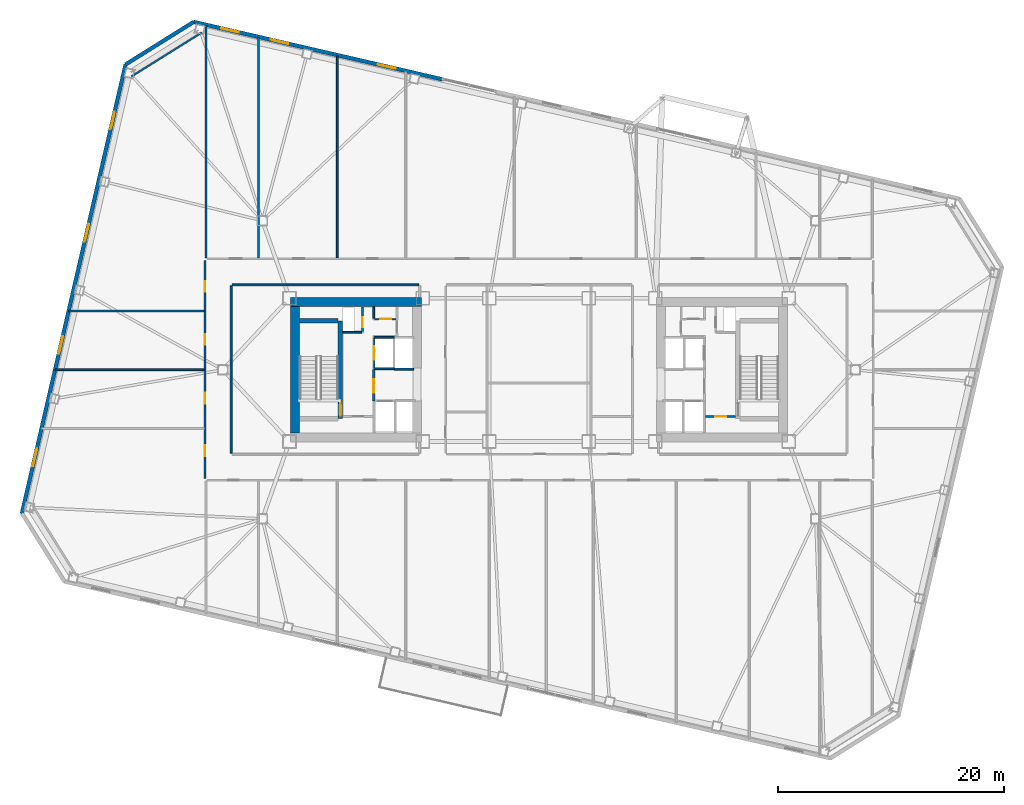
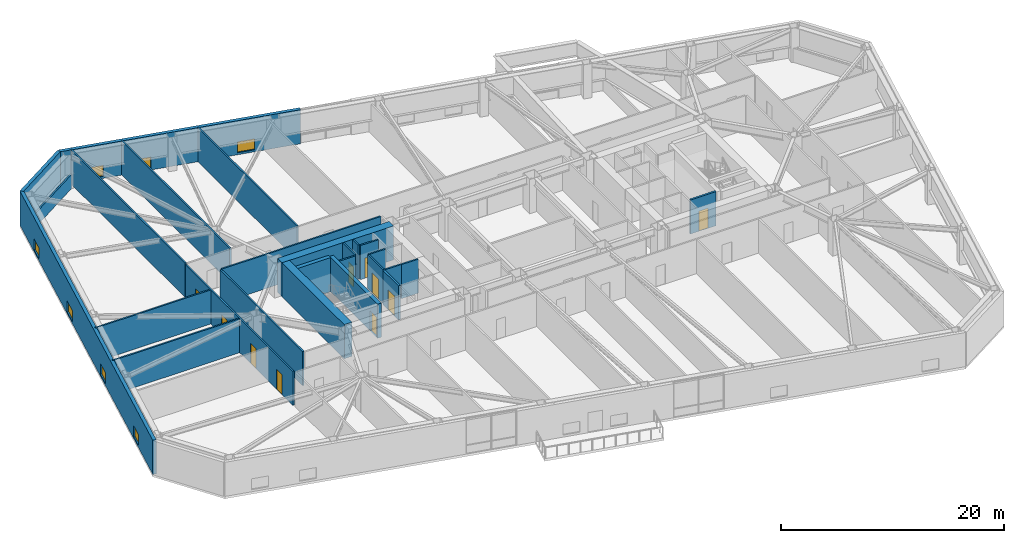
# One storey, part 11 of 21: 26 walls, 10 doors, 7 windows, 17 openings.
"""IFC4 building model written with IfcOpenShell, lengths in metres."""

import ifcopenshell
import ifcopenshell.guid

model = None  # the IFC model being written
_history = None  # IfcOwnerHistory: only IFC2X3 demands one
_inside = {}  # id of a spatial element -> (the spatial element, [elements in it])
_under = {}  # id of a project, library or spatial element -> (it, [spatial elements below it])
_declared = {}  # id of a project -> (the project, [libraries it declares])
_typed = {}  # id of a type object -> (the type object, [elements of that type])
_made_of = {}  # id of a material, layer set ... -> (it, [elements and type objects made of it])


def new_model(schema):
    """Start an empty IFC model of exactly this schema.

    Asked for "IFC4X3", IfcOpenShell would pick the latest addendum, in which some entities
    have other attributes; the version numbers below select the first issue.
    IFC2X3 requires an IfcOwnerHistory on every rooted entity: one is made here for all.
    """
    global model, _history
    if schema == "IFC4X3":
        model = ifcopenshell.file(schema_version=(4, 3, 0, 0))
    else:
        model = ifcopenshell.file(schema=schema)
    _inside.clear()
    _under.clear()
    _declared.clear()
    _typed.clear()
    _made_of.clear()
    _history = None
    if model.schema == "IFC2X3":
        org = make("IfcOrganization", Name="unknown")
        user = make(
            "IfcPersonAndOrganization",
            ThePerson=make("IfcPerson", FamilyName="unknown"),
            TheOrganization=org,
        )
        app = make(
            "IfcApplication",
            ApplicationDeveloper=org,
            Version="unknown",
            ApplicationFullName="unknown",
            ApplicationIdentifier="unknown",
        )
        _history = make(
            "IfcOwnerHistory",
            OwningUser=user,
            OwningApplication=app,
            ChangeAction="ADDED",
            CreationDate=0,
        )
    return model


def make(cls, **values):
    """One entity of the class cls with the attributes given. An attribute that is None is left unset."""
    return model.create_entity(
        cls, **{name: value for name, value in values.items() if value is not None}
    )


def rooted(cls, **values):
    """An entity with a GlobalId (a new one), such as an element, a storey or a relation."""
    return make(cls, GlobalId=ifcopenshell.guid.new(), OwnerHistory=_history, **values)


def si_unit(unit_type, name, prefix=None):
    """IfcSIUnit, for example si_unit("LENGTHUNIT", "METRE", prefix="MILLI")."""
    return make("IfcSIUnit", UnitType=unit_type, Prefix=prefix, Name=name)


def assignment(units):
    """IfcUnitAssignment: the units of a project."""
    return None if units is None else make("IfcUnitAssignment", Units=units)


def point(xyz):
    """IfcCartesianPoint."""
    return None if xyz is None else make("IfcCartesianPoint", Coordinates=xyz)


def direction(xyz):
    """IfcDirection."""
    return None if xyz is None else make("IfcDirection", DirectionRatios=xyz)


def frame(location, z_axis=None, x_axis=None):
    """IfcAxis2Placement3D, a coordinate frame: its origin and axes. An axis left out is left unset."""
    return make(
        "IfcAxis2Placement3D",
        Location=point(location),
        Axis=direction(z_axis),
        RefDirection=direction(x_axis),
    )


def frame_2d(location, x_axis=None):
    """IfcAxis2Placement2D, a coordinate frame in the plane: its origin and x axis."""
    return make(
        "IfcAxis2Placement2D", Location=point(location), RefDirection=direction(x_axis)
    )


def origin():
    """The frame at (0, 0, 0) with its axes left unset."""
    return frame((0.0, 0.0, 0.0))


def place(relative_to, where):
    """IfcLocalPlacement: puts the frame where relative to a parent placement (None: the world)."""
    return make(
        "IfcLocalPlacement", PlacementRelTo=relative_to, RelativePlacement=where
    )


def context(
    kind, dimensions, precision=None, world=None, true_north=None, identifier=None
):
    """IfcGeometricRepresentationContext, for example the 3D "Model" context."""
    return make(
        "IfcGeometricRepresentationContext",
        ContextIdentifier=identifier,
        ContextType=kind,
        CoordinateSpaceDimension=dimensions,
        Precision=precision,
        WorldCoordinateSystem=world,
        TrueNorth=true_north,
    )


def subcontext(parent, identifier, kind, view, scale=None):
    """IfcGeometricRepresentationSubContext, for example "Body" below "Model"."""
    return make(
        "IfcGeometricRepresentationSubContext",
        ContextIdentifier=identifier,
        ContextType=kind,
        ParentContext=parent,
        TargetScale=scale,
        TargetView=view,
    )


def project(units=None, contexts=None):
    """IfcProject with its units and contexts."""
    return rooted(
        "IfcProject",
        Name="project",
        RepresentationContexts=contexts,
        UnitsInContext=assignment(units),
    )


def spatial(cls, under=None, at=None, **own):
    """A site, building, storey or space (cls), placed at a placement, below another one or the project."""
    s = rooted(cls, ObjectPlacement=at, **own)
    if under is not None:
        _under.setdefault(under.id(), (under, []))[1].append(s)
    return s


def profile(cls, at=None, kind="AREA", **sizes):
    """A parametric profile (cls). Its sizes go by their IFC names, for example OverallWidth=200.0."""
    return make(cls, ProfileType=kind, Position=at, **sizes)


def rectangle(**sizes):
    """IfcRectangleProfileDef."""
    return profile("IfcRectangleProfileDef", **sizes)


def extrude(swept, where, along, depth):
    """IfcExtrudedAreaSolid: the profile swept, set in the frame where, extruded along a direction by depth."""
    return make(
        "IfcExtrudedAreaSolid",
        SweptArea=swept,
        Position=where,
        ExtrudedDirection=direction(along),
        Depth=depth,
    )


def shape(context_of_items, identifier, shape_type, items):
    """IfcShapeRepresentation: the items that make up one representation, for example the "Body"."""
    return make(
        "IfcShapeRepresentation",
        ContextOfItems=context_of_items,
        RepresentationIdentifier=identifier,
        RepresentationType=shape_type,
        Items=items,
    )


def material(Name=None, Category=None):
    """IfcMaterial."""
    return make("IfcMaterial", Name=Name, Category=Category)


def layer(
    of_material, thickness, ventilated=None, Name=None, Category=None, Priority=None
):
    """IfcMaterialLayer: one layer of a wall or slab, of a material (None: an air gap)."""
    return make(
        "IfcMaterialLayer",
        Material=of_material,
        LayerThickness=thickness,
        IsVentilated=ventilated,
        Name=Name,
        Category=Category,
        Priority=Priority,
    )


def layer_set(layers, Name=None):
    """IfcMaterialLayerSet."""
    return make("IfcMaterialLayerSet", MaterialLayers=layers, LayerSetName=Name)


def made_of(thing, what):
    """Note that an element or type object is made of a material, layer set ...; save() writes the relation."""
    if what is not None:
        _made_of.setdefault(what.id(), (what, []))[1].append(thing)
    return thing


def type_object(cls, material=None, **own):
    """A type object (cls), such as IfcWallType, which elements share."""
    return made_of(rooted(cls, **own), material)


def element(
    cls,
    number,
    at=None,
    inside=None,
    cuts=None,
    type_object=None,
    material=None,
    context=None,
    identifier="Body",
    shape_type=None,
    held_by="IfcProductDefinitionShape",
    body=None,
    shapes=None,
    **own,
):
    """One element of the class cls, such as IfcWall. Its Tag is "e" and its number.

    at: its placement. inside: the storey or other place that contains it. cuts: it is an
    opening in that element (IfcRelVoidsElement). A single representation is given by context,
    identifier, shape_type and body (its items); several are given by shapes. held_by: the class
    of the entity that holds the representations. save() writes the other relations.
    """
    e = rooted(cls, Tag="e%d" % number, ObjectPlacement=at, **own)
    if body is not None:
        shapes = [shape(context, identifier, shape_type, body)]
    if shapes is not None:
        e.Representation = make(held_by, Representations=shapes)
    if inside is not None:
        _inside.setdefault(inside.id(), (inside, []))[1].append(e)
    if cuts is not None:
        rooted(
            "IfcRelVoidsElement", RelatingBuildingElement=cuts, RelatedOpeningElement=e
        )
    if type_object is not None:
        _typed.setdefault(type_object.id(), (type_object, []))[1].append(e)
    return made_of(e, material)


def fill(opening, filler):
    """IfcRelFillsElement: the door or window that sits in an opening."""
    return rooted(
        "IfcRelFillsElement",
        RelatingOpeningElement=opening,
        RelatedBuildingElement=filler,
    )


def aggregate(whole, parts):
    """IfcRelAggregates: a whole, such as a stair, and the parts it consists of."""
    return rooted("IfcRelAggregates", RelatingObject=whole, RelatedObjects=parts)


def save(model, path):
    """Write the relations noted so far, then the file.

    IfcRelAggregates (storeys below a building ...), IfcRelContainedInSpatialStructure (elements
    in a storey), IfcRelDefinesByType, IfcRelAssociatesMaterial and IfcRelDeclares: one each for
    every whole, place, type object, material and project.
    """
    for whole, parts in _under.values():
        aggregate(whole, parts)
    for where, things in _inside.values():
        rooted(
            "IfcRelContainedInSpatialStructure",
            RelatedElements=things,
            RelatingStructure=where,
        )
    for kind, things in _typed.values():
        rooted("IfcRelDefinesByType", RelatedObjects=things, RelatingType=kind)
    for what, things in _made_of.values():
        rooted("IfcRelAssociatesMaterial", RelatedObjects=things, RelatingMaterial=what)
    for by, libraries in _declared.values():
        rooted("IfcRelDeclares", RelatingContext=by, RelatedDefinitions=libraries)
    model.write(path)


model = new_model("IFC4")

# Units and contexts
model_context = context("Model", 3, precision=1e-05, world=origin(), true_north=direction((0.0, 1.0)))
body_context = subcontext(model_context, "Body", "Model", "MODEL_VIEW")
ifc_project = project(units=[si_unit("LENGTHUNIT", "METRE"), si_unit("AREAUNIT", "SQUARE_METRE"), si_unit("VOLUMEUNIT", "CUBIC_METRE"), si_unit("PLANEANGLEUNIT", "RADIAN"), si_unit("MASSUNIT", "GRAM", prefix="KILO")], contexts=[model_context])

# Site, building, storey
site_placement = place(None, origin())
site = spatial("IfcSite", under=ifc_project, at=site_placement, CompositionType="ELEMENT")
building_placement = place(site_placement, origin())
building = spatial("IfcBuilding", under=site, at=building_placement, Name="Tavrogorsk Clinical Tower", CompositionType="ELEMENT")
storey_placement = place(building_placement, frame((0.0, 0.0, 59.39990234375)))
storey = spatial("IfcBuildingStorey", under=building, at=storey_placement, Name="L12", CompositionType="ELEMENT", Elevation=59.39990234375)

# Wall, opening, door
ifc_material_1 = material(Name="Concrete B60", Category="concrete")
ifc_layer_1 = layer(ifc_material_1, 0.199951171875)
ifc_layer_set_1 = layer_set([ifc_layer_1], Name="Concrete B60")
wall_type_1 = type_object("IfcWallType", Name="CoreFireWall_200", PredefinedType="SOLIDWALL", material=ifc_layer_set_1)
wall_1_placement = place(storey_placement, frame((-14.639892578125, -2.780029296875, 0.0), z_axis=(0.0, 0.0, 1.0), x_axis=(0.0, 1.0, 0.0)))
wall_1 = element("IfcWall", 1, at=wall_1_placement, inside=storey, type_object=wall_type_1, Name="L12 Core West Firefighting Lobby Fire Wall", PredefinedType="SOLIDWALL", context=body_context, shape_type="SweptSolid", body=[
    extrude(rectangle(XDim=2.820068359375, YDim=0.199951171875, at=frame_2d((1.41015625, 0.0))), origin(), (0.0, 0.0, 1.0), 3.739990234375),
])
opening_1_placement = place(wall_1_placement, frame((0.72998046875, 0.0, 0.0)))
opening_1 = element("IfcOpeningElement", 2, at=opening_1_placement, cuts=wall_1, Name="Opening FD-01", PredefinedType="OPENING", context=body_context, shape_type="SweptSolid", body=[
    extrude(rectangle(XDim=1.199951171875, YDim=2.199951171875, at=frame_2d((0.60009765625, 1.10009765625))), frame((0.0, 0.10986328125, 0.0), z_axis=(0.0, -1.0, 0.0), x_axis=(1.0, 0.0, 0.0)), (0.0, 0.0, 1.0), 0.219970703125),
])
ifc_material_2 = material(Name="Galvanised steel fire-rated door assembly", Category="steel")
door_type_1 = type_object("IfcDoorType", Name="FireDoor_FD01_1200", OperationType="NOTDEFINED", PredefinedType="DOOR", material=ifc_material_2)
door_1_placement = place(opening_1_placement, origin())
door_1 = element("IfcDoor", 3, at=door_1_placement, inside=storey, type_object=door_type_1, Name="L12 Core West Firefighting Lobby Entry Door", OperationType="SINGLE_SWING_LEFT", OverallHeight=2.199951171875, OverallWidth=1.199951171875, PredefinedType="DOOR", context=body_context, shape_type="SweptSolid", body=[
    extrude(rectangle(XDim=1.199951171875, YDim=2.199951171875, at=frame_2d((0.60009765625, 1.10009765625))), frame((0.0, 0.02490234375, 0.0), z_axis=(0.0, -1.0, 0.0), x_axis=(1.0, 0.0, 0.0)), (0.0, 0.0, 1.0), 0.050048828125),
])
fill(opening_1, door_1)

wall_2_placement = place(storey_placement, frame((14.719970703125, -4.139892578125, 0.0), z_axis=(0.0, 0.0, 1.0), x_axis=(1.0, 0.0, 0.0)))
wall_2 = element("IfcWall", 4, at=wall_2_placement, inside=storey, type_object=wall_type_1, Name="L12 Core East South Core Room Fire Wall", PredefinedType="SOLIDWALL", context=body_context, shape_type="SweptSolid", body=[
    extrude(rectangle(XDim=2.659912109375, YDim=0.199951171875, at=frame_2d((1.330078125, 0.0))), origin(), (0.0, 0.0, 1.0), 3.739990234375),
])
opening_2_placement = place(wall_2_placement, frame((0.8798828125, 0.0, 0.0)))
opening_2 = element("IfcOpeningElement", 5, at=opening_2_placement, cuts=wall_2, Name="Opening ID-02", PredefinedType="OPENING", context=body_context, shape_type="SweptSolid", body=[
    extrude(rectangle(XDim=0.949951171875, YDim=2.199951171875, at=frame_2d((0.47509765625, 1.10009765625))), frame((0.0, 0.10986328125, 0.0), z_axis=(0.0, -1.0, 0.0), x_axis=(1.0, 0.0, 0.0)), (0.0, 0.0, 1.0), 0.219970703125),
])
ifc_material_3 = material(Name="Laminated timber leaf on aluminium frame", Category="wood")
door_type_2 = type_object("IfcDoorType", Name="InteriorDoor_ID02_950", OperationType="NOTDEFINED", PredefinedType="DOOR", material=ifc_material_3)
door_2_placement = place(opening_2_placement, origin())
door_2 = element("IfcDoor", 6, at=door_2_placement, inside=storey, type_object=door_type_2, Name="L12 Core East South Core Room Door", OperationType="SINGLE_SWING_LEFT", OverallHeight=2.199951171875, OverallWidth=0.949951171875, PredefinedType="DOOR", context=body_context, shape_type="SweptSolid", body=[
    extrude(rectangle(XDim=0.949951171875, YDim=2.199951171875, at=frame_2d((0.47509765625, 1.10009765625))), frame((0.0, 0.02490234375, 0.0), z_axis=(0.0, -1.0, 0.0), x_axis=(1.0, 0.0, 0.0)), (0.0, 0.0, 1.0), 0.050048828125),
])
fill(opening_2, door_2)

ifc_material_4 = material(Name="Lightweight concrete blockwork B15", Category="masonry")
ifc_layer_2 = layer(ifc_material_4, 0.159912109375)
ifc_layer_set_2 = layer_set([ifc_layer_2], Name="Lightweight concrete blockwork B15")
wall_type_2 = type_object("IfcWallType", Name="PartitionWall_160", PredefinedType="PARTITIONING", material=ifc_layer_set_2)
wall_3_placement = place(storey_placement, frame((-14.554931640625, 4.47998046875, 0.0), z_axis=(0.0, 0.0, 1.0), x_axis=(1.0, 0.0, 0.0)))
wall_3 = element("IfcWall", 7, at=wall_3_placement, inside=storey, type_object=wall_type_2, Name="L12 Core West Housekeeping South Wall", PredefinedType="PARTITIONING", context=body_context, shape_type="SweptSolid", body=[
    extrude(rectangle(XDim=1.889892578125, YDim=0.159912109375, at=frame_2d((0.94482421875, 0.0))), origin(), (0.0, 0.0, 1.0), 3.739990234375),
])
opening_3_placement = place(wall_3_placement, frame((0.5, 0.0, 0.0)))
opening_3 = element("IfcOpeningElement", 8, at=opening_3_placement, cuts=wall_3, Name="Opening ID-02", PredefinedType="OPENING", context=body_context, shape_type="SweptSolid", body=[
    extrude(rectangle(XDim=0.949951171875, YDim=2.199951171875, at=frame_2d((0.47509765625, 1.10009765625))), frame((0.0, 0.08984375, 0.0), z_axis=(0.0, -1.0, 0.0), x_axis=(1.0, 0.0, 0.0)), (0.0, 0.0, 1.0), 0.179931640625),
])
door_3_placement = place(opening_3_placement, origin())
door_3 = element("IfcDoor", 9, at=door_3_placement, inside=storey, type_object=door_type_2, Name="L12 Core West Housekeeping Closet Door", OperationType="SINGLE_SWING_RIGHT", OverallHeight=2.199951171875, OverallWidth=0.949951171875, PredefinedType="DOOR", context=body_context, shape_type="SweptSolid", body=[
    extrude(rectangle(XDim=0.949951171875, YDim=2.199951171875, at=frame_2d((0.47509765625, 1.10009765625))), frame((0.0, 0.02490234375, 0.0), z_axis=(0.0, -1.0, 0.0), x_axis=(1.0, 0.0, 0.0)), (0.0, 0.0, 1.0), 0.050048828125),
])
fill(opening_3, door_3)

# Walls
wall_4_placement = place(storey_placement, frame((-14.639892578125, 4.56494140625, 0.0), z_axis=(0.0, 0.0, 1.0), x_axis=(0.0, 1.0, 0.0)))
element("IfcWall", 10, at=wall_4_placement, inside=storey, type_object=wall_type_2, Name="L12 Core West Housekeeping East Wall", PredefinedType="PARTITIONING", context=body_context, shape_type="SweptSolid", body=[
    extrude(rectangle(XDim=0.9951171875, YDim=0.159912109375, at=frame_2d((0.49755859375, 0.0))), origin(), (0.0, 0.0, 1.0), 3.739990234375),
])
wall_5_placement = place(storey_placement, frame((-29.859619140625, 29.8681640625, 0.0), z_axis=(0.0, 0.0, 1.0), x_axis=(-0.848043064089, -0.529927317139, 0.0)))
element("IfcWall", 11, at=wall_5_placement, inside=storey, type_object=wall_type_2, Name="L12 Corner Exoskeleton Brace Furring Wall 3", PredefinedType="PARTITIONING", context=body_context, shape_type="SweptSolid", body=[
    extrude(rectangle(XDim=7.353759765625, YDim=0.159912109375, at=frame_2d((3.6767578125, 0.0))), origin(), (0.0, 0.0, 1.0), 1.53515625),
])

# Wall, openings, doors
wall_6_placement = place(storey_placement, frame((-29.580078125, -9.614990234375, 0.0), z_axis=(0.0, 0.0, 1.0), x_axis=(0.0, 1.0, 0.0)))
wall_6 = element("IfcWall", 12, at=wall_6_placement, inside=storey, type_object=wall_type_2, Name="L12 Corridor Partition 01", PredefinedType="PARTITIONING", context=body_context, shape_type="SweptSolid", body=[
    extrude(rectangle(XDim=19.280029296875, YDim=0.159912109375, at=frame_2d((9.64013671875, 0.0))), origin(), (0.0, 0.0, 1.0), 3.739990234375),
])
opening_4_placement = place(wall_6_placement, frame((1.968994140625, 0.0, 0.0)))
opening_4 = element("IfcOpeningElement", 13, at=opening_4_placement, cuts=wall_6, Name="Opening ID-02", PredefinedType="OPENING", context=body_context, shape_type="SweptSolid", body=[
    extrude(rectangle(XDim=0.949951171875, YDim=2.199951171875, at=frame_2d((0.47509765625, 1.10009765625))), frame((0.0, 0.08984375, 0.0), z_axis=(0.0, -1.0, 0.0), x_axis=(1.0, 0.0, 0.0)), (0.0, 0.0, 1.0), 0.179931640625),
])
opening_5_placement = place(wall_6_placement, frame((6.625, 0.0, 0.0)))
opening_5 = element("IfcOpeningElement", 14, at=opening_5_placement, cuts=wall_6, Name="Opening ID-02", PredefinedType="OPENING", context=body_context, shape_type="SweptSolid", body=[
    extrude(rectangle(XDim=0.949951171875, YDim=2.199951171875, at=frame_2d((0.47509765625, 1.10009765625))), frame((0.0, 0.08984375, 0.0), z_axis=(0.0, -1.0, 0.0), x_axis=(1.0, 0.0, 0.0)), (0.0, 0.0, 1.0), 0.179931640625),
])
opening_6_placement = place(wall_6_placement, frame((11.824951171875, 0.0, 0.0)))
opening_6 = element("IfcOpeningElement", 15, at=opening_6_placement, cuts=wall_6, Name="Opening ID-02", PredefinedType="OPENING", context=body_context, shape_type="SweptSolid", body=[
    extrude(rectangle(XDim=0.949951171875, YDim=2.199951171875, at=frame_2d((0.47509765625, 1.10009765625))), frame((0.0, 0.08984375, 0.0), z_axis=(0.0, -1.0, 0.0), x_axis=(1.0, 0.0, 0.0)), (0.0, 0.0, 1.0), 0.179931640625),
])
opening_7_placement = place(wall_6_placement, frame((16.505859375, 0.0, 0.0)))
opening_7 = element("IfcOpeningElement", 16, at=opening_7_placement, cuts=wall_6, Name="Opening ID-02", PredefinedType="OPENING", context=body_context, shape_type="SweptSolid", body=[
    extrude(rectangle(XDim=0.949951171875, YDim=2.199951171875, at=frame_2d((0.47509765625, 1.10009765625))), frame((0.0, 0.08984375, 0.0), z_axis=(0.0, -1.0, 0.0), x_axis=(1.0, 0.0, 0.0)), (0.0, 0.0, 1.0), 0.179931640625),
])
door_4_placement = place(opening_4_placement, origin())
door_4 = element("IfcDoor", 17, at=door_4_placement, inside=storey, type_object=door_type_2, Name="L12 W Solarium Day Room & Lounge 1 Door", OperationType="SINGLE_SWING_LEFT", OverallHeight=2.199951171875, OverallWidth=0.949951171875, PredefinedType="DOOR", context=body_context, shape_type="SweptSolid", body=[
    extrude(rectangle(XDim=0.949951171875, YDim=2.199951171875, at=frame_2d((0.47509765625, 1.10009765625))), frame((0.0, 0.02490234375, 0.0), z_axis=(0.0, -1.0, 0.0), x_axis=(1.0, 0.0, 0.0)), (0.0, 0.0, 1.0), 0.050048828125),
])
fill(opening_4, door_4)
door_5_placement = place(opening_5_placement, origin())
door_5 = element("IfcDoor", 18, at=door_5_placement, inside=storey, type_object=door_type_2, Name="L12 W Rehabilitation Therapy Suite 2 Door", OperationType="SINGLE_SWING_RIGHT", OverallHeight=2.199951171875, OverallWidth=0.949951171875, PredefinedType="DOOR", context=body_context, shape_type="SweptSolid", body=[
    extrude(rectangle(XDim=0.949951171875, YDim=2.199951171875, at=frame_2d((0.47509765625, 1.10009765625))), frame((0.0, 0.02490234375, 0.0), z_axis=(0.0, -1.0, 0.0), x_axis=(1.0, 0.0, 0.0)), (0.0, 0.0, 1.0), 0.050048828125),
])
fill(opening_5, door_5)
door_6_placement = place(opening_6_placement, origin())
door_6 = element("IfcDoor", 19, at=door_6_placement, inside=storey, type_object=door_type_2, Name="L12 W Sub-Acute Observation Suite 3 Door", OperationType="SINGLE_SWING_LEFT", OverallHeight=2.199951171875, OverallWidth=0.949951171875, PredefinedType="DOOR", context=body_context, shape_type="SweptSolid", body=[
    extrude(rectangle(XDim=0.949951171875, YDim=2.199951171875, at=frame_2d((0.47509765625, 1.10009765625))), frame((0.0, 0.02490234375, 0.0), z_axis=(0.0, -1.0, 0.0), x_axis=(1.0, 0.0, 0.0)), (0.0, 0.0, 1.0), 0.050048828125),
])
fill(opening_6, door_6)
door_7_placement = place(opening_7_placement, origin())
door_7 = element("IfcDoor", 20, at=door_7_placement, inside=storey, type_object=door_type_2, Name="L12 W Family Consultation Lounge 4 Door", OperationType="SINGLE_SWING_RIGHT", OverallHeight=2.199951171875, OverallWidth=0.949951171875, PredefinedType="DOOR", context=body_context, shape_type="SweptSolid", body=[
    extrude(rectangle(XDim=0.949951171875, YDim=2.199951171875, at=frame_2d((0.47509765625, 1.10009765625))), frame((0.0, 0.02490234375, 0.0), z_axis=(0.0, -1.0, 0.0), x_axis=(1.0, 0.0, 0.0)), (0.0, 0.0, 1.0), 0.050048828125),
])
fill(opening_7, door_7)

# Walls
wall_7_placement = place(storey_placement, frame((-10.6650390625, 7.52001953125, 0.0), z_axis=(0.0, 0.0, 1.0), x_axis=(-1.0, 0.0, 0.0)))
element("IfcWall", 21, at=wall_7_placement, inside=storey, type_object=wall_type_2, Name="L12 Corridor Partition 16", PredefinedType="PARTITIONING", context=body_context, shape_type="SweptSolid", body=[
    extrude(rectangle(XDim=16.52001953125, YDim=0.159912109375, at=frame_2d((8.260009765625, 0.0))), origin(), (0.0, 0.0, 1.0), 3.739990234375),
])
wall_8_placement = place(storey_placement, frame((-27.27001953125, 7.43505859375, 0.0), z_axis=(0.0, 0.0, 1.0), x_axis=(0.0, -1.0, 0.0)))
element("IfcWall", 22, at=wall_8_placement, inside=storey, type_object=wall_type_2, Name="L12 Corridor Partition 17", PredefinedType="PARTITIONING", context=body_context, shape_type="SweptSolid", body=[
    extrude(rectangle(XDim=14.820068359375, YDim=0.159912109375, at=frame_2d((7.41015625, 0.0))), origin(), (0.0, 0.0, 1.0), 3.739990234375),
])
wall_9_placement = place(storey_placement, frame((-29.5, 9.9150390625, 0.0), z_axis=(0.0, 0.0, 1.0), x_axis=(0.0, 1.0, 0.0)))
element("IfcWall", 23, at=wall_9_placement, inside=storey, type_object=wall_type_2, Name="L12 NW Wing Closure Partition", PredefinedType="PARTITIONING", context=body_context, shape_type="SweptSolid", body=[
    extrude(rectangle(XDim=20.568603515625, YDim=0.159912109375, at=frame_2d((10.2841796875, 0.0))), origin(), (0.0, 0.0, 1.0), 3.739990234375),
])
wall_10_placement = place(storey_placement, frame((-24.85009765625, 9.9150390625, 0.0), z_axis=(0.0, 0.0, 1.0), x_axis=(0.0, 1.0, 0.0)))
element("IfcWall", 24, at=wall_10_placement, inside=storey, type_object=wall_type_2, Name="L12 North Room Partition 1", PredefinedType="PARTITIONING", context=body_context, shape_type="SweptSolid", body=[
    extrude(rectangle(XDim=19.4951171875, YDim=0.159912109375, at=frame_2d((9.74755859375, 0.0))), origin(), (0.0, 0.0, 1.0), 3.739990234375),
])
wall_11_placement = place(storey_placement, frame((-17.875, 9.9150390625, 0.0), z_axis=(0.0, 0.0, 1.0), x_axis=(0.0, 1.0, 0.0)))
element("IfcWall", 25, at=wall_11_placement, inside=storey, type_object=wall_type_2, Name="L12 North Sub-Partition 2", PredefinedType="PARTITIONING", context=body_context, shape_type="SweptSolid", body=[
    extrude(rectangle(XDim=17.884765625, YDim=0.159912109375, at=frame_2d((8.9423828125, 0.0))), origin(), (0.0, 0.0, 1.0), 3.739990234375),
])
wall_12_placement = place(storey_placement, frame((-42.841552734375, 0.0, 0.0), z_axis=(0.0, 0.0, 1.0), x_axis=(1.0, 0.0, 0.0)))
element("IfcWall", 26, at=wall_12_placement, inside=storey, type_object=wall_type_2, Name="L12 W Wing Divider 2", PredefinedType="PARTITIONING", context=body_context, shape_type="SweptSolid", body=[
    extrude(rectangle(XDim=13.176513671875, YDim=0.159912109375, at=frame_2d((6.58837890625, 0.0))), origin(), (0.0, 0.0, 1.0), 3.739990234375),
])
wall_13_placement = place(storey_placement, frame((-41.64111328125, 5.199951171875, 0.0), z_axis=(0.0, 0.0, 1.0), x_axis=(1.0, 0.0, 0.0)))
element("IfcWall", 27, at=wall_13_placement, inside=storey, type_object=wall_type_2, Name="L12 W Wing Divider 3", PredefinedType="PARTITIONING", context=body_context, shape_type="SweptSolid", body=[
    extrude(rectangle(XDim=11.97607421875, YDim=0.159912109375, at=frame_2d((5.988037109375, 0.0))), origin(), (0.0, 0.0, 1.0), 3.739990234375),
])

# Wall, openings, windows
ifc_material_5 = material(Name="Precast concrete B45 with limestone cladding", Category="masonry")
ifc_layer_3 = layer(ifc_material_5, 0.340087890625)
ifc_layer_set_3 = layer_set([ifc_layer_3], Name="Precast concrete B45 with limestone cladding")
wall_type_3 = type_object("IfcWallType", Name="PrecastLimestoneWall_340", PredefinedType="STANDARD", material=ifc_layer_set_3)
wall_14_placement = place(storey_placement, frame((-8.5166015625, 25.711181640625, 0.0), z_axis=(0.0, 0.0, 1.0), x_axis=(-0.974372845456, 0.224939009598, 0.0)))
wall_14 = element("IfcWall", 28, at=wall_14_placement, inside=storey, type_object=wall_type_3, Name="L12 N Limestone Facade Wall 3", PredefinedType="STANDARD", context=body_context, shape_type="SweptSolid", body=[
    extrude(rectangle(XDim=22.651611328125, YDim=0.340087890625, at=frame_2d((11.32568359375, 0.0))), origin(), (0.0, 0.0, 1.0), 3.739990234375),
])
opening_8_placement = place(wall_14_placement, frame((18.539306640625, 0.0, 0.219970703125)))
opening_8 = element("IfcOpeningElement", 29, at=opening_8_placement, cuts=wall_14, Name="Opening WN-09", PredefinedType="OPENING", context=body_context, shape_type="SweptSolid", body=[
    extrude(rectangle(XDim=1.60009765625, YDim=1.199951171875, at=frame_2d((0.800048828125, 0.60009765625))), frame((0.0, 0.179931640625, 0.0), z_axis=(0.0, -1.0, 0.0), x_axis=(1.0, 0.0, 0.0)), (0.0, 0.0, 1.0), 0.360107421875),
])
opening_9_placement = place(wall_14_placement, frame((14.054931640625, 0.0, 0.219970703125)))
opening_9 = element("IfcOpeningElement", 30, at=opening_9_placement, cuts=wall_14, Name="Opening WN-09", PredefinedType="OPENING", context=body_context, shape_type="SweptSolid", body=[
    extrude(rectangle(XDim=1.60009765625, YDim=1.199951171875, at=frame_2d((0.800048828125, 0.60009765625))), frame((0.0, 0.179931640625, 0.0), z_axis=(0.0, -1.0, 0.0), x_axis=(1.0, 0.0, 0.0)), (0.0, 0.0, 1.0), 0.360107421875),
])
opening_10_placement = place(wall_14_placement, frame((4.306396484375, 0.0, 0.219970703125)))
opening_10 = element("IfcOpeningElement", 31, at=opening_10_placement, cuts=wall_14, Name="Opening WN-09", PredefinedType="OPENING", context=body_context, shape_type="SweptSolid", body=[
    extrude(rectangle(XDim=1.60009765625, YDim=1.199951171875, at=frame_2d((0.800048828125, 0.60009765625))), frame((0.0, 0.179931640625, 0.0), z_axis=(0.0, -1.0, 0.0), x_axis=(1.0, 0.0, 0.0)), (0.0, 0.0, 1.0), 0.360107421875),
])
ifc_material_6 = material(Name="Thermally broken aluminium frame and triple IGU", Category="aluminium")
window_type = type_object("IfcWindowType", Name="LowHeadTransWin_1600x1200", PartitioningType="DOUBLE_PANEL_VERTICAL", PredefinedType="WINDOW", material=ifc_material_6)
window_1_placement = place(opening_8_placement, origin())
window_1 = element("IfcWindow", 32, at=window_1_placement, inside=storey, type_object=window_type, Name="L12 N Chicago Window 01", OverallHeight=1.199951171875, OverallWidth=1.60009765625, PartitioningType="SINGLE_PANEL", PredefinedType="WINDOW", context=body_context, shape_type="SweptSolid", body=[
    extrude(rectangle(XDim=1.60009765625, YDim=1.199951171875, at=frame_2d((0.800048828125, 0.60009765625))), frame((0.0, 0.030029296875, 0.0), z_axis=(0.0, -1.0, 0.0), x_axis=(1.0, 0.0, 0.0)), (0.0, 0.0, 1.0), 0.06005859375),
])
fill(opening_8, window_1)
window_2_placement = place(opening_9_placement, origin())
window_2 = element("IfcWindow", 33, at=window_2_placement, inside=storey, type_object=window_type, Name="L12 N Chicago Window 02", OverallHeight=1.199951171875, OverallWidth=1.60009765625, PartitioningType="SINGLE_PANEL", PredefinedType="WINDOW", context=body_context, shape_type="SweptSolid", body=[
    extrude(rectangle(XDim=1.60009765625, YDim=1.199951171875, at=frame_2d((0.800048828125, 0.60009765625))), frame((0.0, 0.030029296875, 0.0), z_axis=(0.0, -1.0, 0.0), x_axis=(1.0, 0.0, 0.0)), (0.0, 0.0, 1.0), 0.06005859375),
])
fill(opening_9, window_2)
window_3_placement = place(opening_10_placement, origin())
window_3 = element("IfcWindow", 34, at=window_3_placement, inside=storey, type_object=window_type, Name="L12 N Chicago Window 04", OverallHeight=1.199951171875, OverallWidth=1.60009765625, PartitioningType="SINGLE_PANEL", PredefinedType="WINDOW", context=body_context, shape_type="SweptSolid", body=[
    extrude(rectangle(XDim=1.60009765625, YDim=1.199951171875, at=frame_2d((0.800048828125, 0.60009765625))), frame((0.0, 0.030029296875, 0.0), z_axis=(0.0, -1.0, 0.0), x_axis=(1.0, 0.0, 0.0)), (0.0, 0.0, 1.0), 0.06005859375),
])
fill(opening_10, window_3)

wall_15_placement = place(storey_placement, frame((-36.6201171875, 27.036865234375, 0.0), z_axis=(0.0, 0.0, 1.0), x_axis=(-0.224951280646, -0.974370012539, 0.0)))
wall_15 = element("IfcWall", 35, at=wall_15_placement, inside=storey, type_object=wall_type_3, Name="L12 W Pleated Limestone Wing Wall", PredefinedType="STANDARD", context=body_context, shape_type="SweptSolid", body=[
    extrude(rectangle(XDim=40.7998046875, YDim=0.340087890625, at=frame_2d((20.39990234375, 0.0))), origin(), (0.0, 0.0, 1.0), 3.739990234375),
])
opening_11_placement = place(wall_15_placement, frame((4.300048828125, 0.0, 0.219970703125)))
opening_11 = element("IfcOpeningElement", 36, at=opening_11_placement, cuts=wall_15, Name="Opening WN-09", PredefinedType="OPENING", context=body_context, shape_type="SweptSolid", body=[
    extrude(rectangle(XDim=1.60009765625, YDim=1.199951171875, at=frame_2d((0.800048828125, 0.60009765625))), frame((0.0, 0.179931640625, 0.0), z_axis=(0.0, -1.0, 0.0), x_axis=(1.0, 0.0, 0.0)), (0.0, 0.0, 1.0), 0.360107421875),
])
opening_12_placement = place(wall_15_placement, frame((14.5, 0.0, 0.219970703125)))
opening_12 = element("IfcOpeningElement", 37, at=opening_12_placement, cuts=wall_15, Name="Opening WN-09", PredefinedType="OPENING", context=body_context, shape_type="SweptSolid", body=[
    extrude(rectangle(XDim=1.60009765625, YDim=1.199951171875, at=frame_2d((0.800048828125, 0.60009765625))), frame((0.0, 0.179931640625, 0.0), z_axis=(0.0, -1.0, 0.0), x_axis=(1.0, 0.0, 0.0)), (0.0, 0.0, 1.0), 0.360107421875),
])
opening_13_placement = place(wall_15_placement, frame((24.699951171875, 0.0, 0.219970703125)))
opening_13 = element("IfcOpeningElement", 38, at=opening_13_placement, cuts=wall_15, Name="Opening WN-09", PredefinedType="OPENING", context=body_context, shape_type="SweptSolid", body=[
    extrude(rectangle(XDim=1.60009765625, YDim=1.199951171875, at=frame_2d((0.800048828125, 0.60009765625))), frame((0.0, 0.179931640625, 0.0), z_axis=(0.0, -1.0, 0.0), x_axis=(1.0, 0.0, 0.0)), (0.0, 0.0, 1.0), 0.360107421875),
])
opening_14_placement = place(wall_15_placement, frame((34.89990234375, 0.0, 0.219970703125)))
opening_14 = element("IfcOpeningElement", 39, at=opening_14_placement, cuts=wall_15, Name="Opening WN-09", PredefinedType="OPENING", context=body_context, shape_type="SweptSolid", body=[
    extrude(rectangle(XDim=1.60009765625, YDim=1.199951171875, at=frame_2d((0.800048828125, 0.60009765625))), frame((0.0, 0.179931640625, 0.0), z_axis=(0.0, -1.0, 0.0), x_axis=(1.0, 0.0, 0.0)), (0.0, 0.0, 1.0), 0.360107421875),
])
window_4_placement = place(opening_11_placement, origin())
window_4 = element("IfcWindow", 40, at=window_4_placement, inside=storey, type_object=window_type, Name="L12 W Pleat Slot Window 1", OverallHeight=1.199951171875, OverallWidth=1.60009765625, PartitioningType="SINGLE_PANEL", PredefinedType="WINDOW", context=body_context, shape_type="SweptSolid", body=[
    extrude(rectangle(XDim=1.60009765625, YDim=1.199951171875, at=frame_2d((0.800048828125, 0.60009765625))), frame((0.0, 0.030029296875, 0.0), z_axis=(0.0, -1.0, 0.0), x_axis=(1.0, 0.0, 0.0)), (0.0, 0.0, 1.0), 0.06005859375),
])
fill(opening_11, window_4)
window_5_placement = place(opening_12_placement, origin())
window_5 = element("IfcWindow", 41, at=window_5_placement, inside=storey, type_object=window_type, Name="L12 W Pleat Slot Window 2", OverallHeight=1.199951171875, OverallWidth=1.60009765625, PartitioningType="SINGLE_PANEL", PredefinedType="WINDOW", context=body_context, shape_type="SweptSolid", body=[
    extrude(rectangle(XDim=1.60009765625, YDim=1.199951171875, at=frame_2d((0.800048828125, 0.60009765625))), frame((0.0, 0.030029296875, 0.0), z_axis=(0.0, -1.0, 0.0), x_axis=(1.0, 0.0, 0.0)), (0.0, 0.0, 1.0), 0.06005859375),
])
fill(opening_12, window_5)
window_6_placement = place(opening_13_placement, origin())
window_6 = element("IfcWindow", 42, at=window_6_placement, inside=storey, type_object=window_type, Name="L12 W Pleat Slot Window 3", OverallHeight=1.199951171875, OverallWidth=1.60009765625, PartitioningType="SINGLE_PANEL", PredefinedType="WINDOW", context=body_context, shape_type="SweptSolid", body=[
    extrude(rectangle(XDim=1.60009765625, YDim=1.199951171875, at=frame_2d((0.800048828125, 0.60009765625))), frame((0.0, 0.030029296875, 0.0), z_axis=(0.0, -1.0, 0.0), x_axis=(1.0, 0.0, 0.0)), (0.0, 0.0, 1.0), 0.06005859375),
])
fill(opening_13, window_6)
window_7_placement = place(opening_14_placement, origin())
window_7 = element("IfcWindow", 43, at=window_7_placement, inside=storey, type_object=window_type, Name="L12 W Pleat Slot Window 4", OverallHeight=1.199951171875, OverallWidth=1.60009765625, PartitioningType="SINGLE_PANEL", PredefinedType="WINDOW", context=body_context, shape_type="SweptSolid", body=[
    extrude(rectangle(XDim=1.60009765625, YDim=1.199951171875, at=frame_2d((0.800048828125, 0.60009765625))), frame((0.0, 0.030029296875, 0.0), z_axis=(0.0, -1.0, 0.0), x_axis=(1.0, 0.0, 0.0)), (0.0, 0.0, 1.0), 0.06005859375),
])
fill(opening_14, window_7)

# Wall
wall_16_placement = place(storey_placement, frame((-30.587646484375, 30.806640625, 0.0), z_axis=(0.0, 0.0, 1.0), x_axis=(-0.848031080615, -0.529946493819, 0.0)))
element("IfcWall", 44, at=wall_16_placement, inside=storey, type_object=wall_type_3, Name="L12 Chamfered Corner Wall 3", PredefinedType="STANDARD", context=body_context, shape_type="SweptSolid", body=[
    extrude(rectangle(XDim=7.113525390625, YDim=0.340087890625, at=frame_2d((3.556640625, 0.0))), origin(), (0.0, 0.0, 1.0), 3.739990234375),
])

# Wall, opening, door
ifc_material_7 = material(Name="Lightweight concrete blockwork B25", Category="masonry")
ifc_layer_4 = layer(ifc_material_7, 0.159912109375)
ifc_layer_set_4 = layer_set([ifc_layer_4], Name="Lightweight concrete blockwork B25")
wall_type_4 = type_object("IfcWallType", Name="ShaftWall_160", PredefinedType="PARTITIONING", material=ifc_layer_set_4)
wall_17_placement = place(storey_placement, frame((-14.60009765625, 0.1201171875, 0.0), z_axis=(0.0, 0.0, 1.0), x_axis=(0.0, 1.0, 0.0)))
wall_17 = element("IfcWall", 45, at=wall_17_placement, inside=storey, type_object=wall_type_4, Name="L12 FFL-W Firefighting Lift Front Wall", PredefinedType="PARTITIONING", context=body_context, shape_type="SweptSolid", body=[
    extrude(rectangle(XDim=2.739990234375, YDim=0.159912109375, at=frame_2d((1.3701171875, 0.0))), origin(), (0.0, 0.0, 1.0), 3.739990234375),
])
opening_15_placement = place(wall_17_placement, frame((0.77001953125, 0.0, 0.0)))
opening_15 = element("IfcOpeningElement", 46, at=opening_15_placement, cuts=wall_17, Name="Opening LD", PredefinedType="OPENING", context=body_context, shape_type="SweptSolid", body=[
    extrude(rectangle(XDim=1.199951171875, YDim=2.199951171875, at=frame_2d((0.60009765625, 1.10009765625))), frame((0.0, 0.08984375, 0.0), z_axis=(0.0, -1.0, 0.0), x_axis=(1.0, 0.0, 0.0)), (0.0, 0.0, 1.0), 0.179931640625),
])
ifc_material_8 = material(Name="Brushed stainless steel AISI 304 sliding doors", Category="steel")
door_type_3 = type_object("IfcDoorType", Name="LiftLandingDoor_LD_1200", OperationType="SLIDING_TO_LEFT", PredefinedType="DOOR", material=ifc_material_8)
door_8_placement = place(opening_15_placement, origin())
door_8 = element("IfcDoor", 47, at=door_8_placement, inside=storey, type_object=door_type_3, Name="L12 FFL-W Sliding Lift Landing Door", OperationType="SLIDING_TO_LEFT", OverallHeight=2.199951171875, OverallWidth=1.199951171875, PredefinedType="DOOR", context=body_context, shape_type="SweptSolid", body=[
    extrude(rectangle(XDim=1.199951171875, YDim=2.199951171875, at=frame_2d((0.60009765625, 1.10009765625))), frame((0.0, 0.02490234375, 0.0), z_axis=(0.0, -1.0, 0.0), x_axis=(1.0, 0.0, 0.0)), (0.0, 0.0, 1.0), 0.050048828125),
])
fill(opening_15, door_8)

# Walls
for number, where, z_axis, x_axis, name in (
    (48, (-14.60009765625, 0.10009765625, 0.0), (0.0, 0.0, 1.0), (1.0, 0.0, 0.0), "L12 FFL-W Shaft South Wall"),
    (49, (-14.60009765625, 2.8798828125, 0.0), (0.0, 0.0, 1.0), (1.0, 0.0, 0.0), "L12 FFL-W Shaft North Wall"),
):
    element("IfcWall", number, at=place(storey_placement, frame(where, z_axis=z_axis, x_axis=x_axis)), inside=storey, type_object=wall_type_4, Name=name, PredefinedType="PARTITIONING", context=body_context, shape_type="SweptSolid", body=[
        extrude(rectangle(XDim=1.760009765625, YDim=0.159912109375, at=frame_2d((0.8798828125, 0.0))), origin(), (0.0, 0.0, 1.0), 3.739990234375),
    ])
wall_18_placement = place(storey_placement, frame((-12.820068359375, 0.06005859375, 0.0), z_axis=(0.0, 0.0, 1.0), x_axis=(1.0, 0.0, 0.0)))
element("IfcWall", 50, at=wall_18_placement, inside=storey, type_object=wall_type_4, Name="L12 LP-H1 High-Zone Lift Portal Wall", PredefinedType="PARTITIONING", context=body_context, shape_type="SweptSolid", body=[
    extrude(rectangle(XDim=1.719970703125, YDim=0.159912109375, at=frame_2d((0.85986328125, 0.0))), origin(), (0.0, 0.0, 1.0), 3.739990234375),
])

# Wall, opening, door
wall_19_placement = place(storey_placement, frame((-15.639892578125, 3.405029296875, 0.0), z_axis=(0.0, 0.0, 1.0), x_axis=(0.0, 1.0, 0.0)))
wall_19 = element("IfcWall", 51, at=wall_19_placement, inside=storey, type_object=wall_type_4, Name="L12 Core West Riser West Wall", PredefinedType="PARTITIONING", context=body_context, shape_type="SweptSolid", body=[
    extrude(rectangle(XDim=2.155029296875, YDim=0.159912109375, at=frame_2d((1.07763671875, 0.0))), origin(), (0.0, 0.0, 1.0), 3.739990234375),
])
opening_16_placement = place(wall_19_placement, frame((0.35009765625, 0.0, 0.0)))
opening_16 = element("IfcOpeningElement", 52, at=opening_16_placement, cuts=wall_19, Name="Opening FD-02", PredefinedType="OPENING", context=body_context, shape_type="SweptSolid", body=[
    extrude(rectangle(XDim=0.89990234375, YDim=2.199951171875, at=frame_2d((0.449951171875, 1.10009765625))), frame((0.0, 0.08984375, 0.0), z_axis=(0.0, -1.0, 0.0), x_axis=(1.0, 0.0, 0.0)), (0.0, 0.0, 1.0), 0.179931640625),
])
ifc_material_9 = material(Name="Galvanised steel fire-rated door assembly", Category="steel")
door_type_4 = type_object("IfcDoorType", Name="FireDoor_FD02_900", OperationType="NOTDEFINED", PredefinedType="DOOR", material=ifc_material_9)
door_9_placement = place(opening_16_placement, origin())
door_9 = element("IfcDoor", 53, at=door_9_placement, inside=storey, type_object=door_type_4, Name="L12 Core West Electrical Riser Access Door", OperationType="SINGLE_SWING_LEFT", OverallHeight=2.199951171875, OverallWidth=0.89990234375, PredefinedType="DOOR", context=body_context, shape_type="SweptSolid", body=[
    extrude(rectangle(XDim=0.89990234375, YDim=2.199951171875, at=frame_2d((0.449951171875, 1.10009765625))), frame((0.0, 0.02490234375, 0.0), z_axis=(0.0, -1.0, 0.0), x_axis=(1.0, 0.0, 0.0)), (0.0, 0.0, 1.0), 0.050048828125),
])
fill(opening_16, door_9)

# Wall
wall_20_placement = place(storey_placement, frame((-17.3798828125, 3.320068359375, 0.0), z_axis=(0.0, 0.0, 1.0), x_axis=(1.0, 0.0, 0.0)))
element("IfcWall", 54, at=wall_20_placement, inside=storey, type_object=wall_type_4, Name="L12 Core West Riser South Wall", PredefinedType="PARTITIONING", context=body_context, shape_type="SweptSolid", body=[
    extrude(rectangle(XDim=1.65478515625, YDim=0.159912109375, at=frame_2d((0.827392578125, 0.0))), origin(), (0.0, 0.0, 1.0), 3.739990234375),
])

# Wall, opening, door
ifc_material_10 = material(Name="Concrete B80", Category="concrete")
ifc_layer_5 = layer(ifc_material_10, 0.39990234375)
ifc_layer_set_5 = layer_set([ifc_layer_5], Name="Concrete B80")
wall_type_5 = type_object("IfcWallType", Name="ShearWall_400", PredefinedType="SHEAR", material=ifc_layer_set_5)
wall_21_placement = place(storey_placement, frame((-17.60009765625, -4.324951171875, 0.0), z_axis=(0.0, 0.0, 1.0), x_axis=(0.0, 1.0, 0.0)))
wall_21 = element("IfcWall", 55, at=wall_21_placement, inside=storey, type_object=wall_type_5, Name="L12 Core West Stair Shaft Inner Shear Wall", PredefinedType="SHEAR", context=body_context, shape_type="SweptSolid", body=[
    extrude(rectangle(XDim=8.64990234375, YDim=0.39990234375, at=frame_2d((4.324951171875, 0.0))), origin(), (0.0, 0.0, 1.0), 3.739990234375),
])
opening_17_placement = place(wall_21_placement, frame((0.25, 0.0, 0.0)))
opening_17 = element("IfcOpeningElement", 56, at=opening_17_placement, cuts=wall_21, Name="Opening SD-01", PredefinedType="OPENING", context=body_context, shape_type="SweptSolid", body=[
    extrude(rectangle(XDim=1.10009765625, YDim=2.199951171875, at=frame_2d((0.550048828125, 1.10009765625))), frame((0.0, 0.2099609375, 0.0), z_axis=(0.0, -1.0, 0.0), x_axis=(1.0, 0.0, 0.0)), (0.0, 0.0, 1.0), 0.419921875),
])
ifc_material_11 = material(Name="Galvanised steel smoke-tight fire door assembly", Category="steel")
door_type_5 = type_object("IfcDoorType", Name="StairFireDoor_SD01_1100", OperationType="NOTDEFINED", PredefinedType="DOOR", material=ifc_material_11)
door_10_placement = place(opening_17_placement, origin())
door_10 = element("IfcDoor", 57, at=door_10_placement, inside=storey, type_object=door_type_5, Name="L12 ST-W Exit Stair Door", OperationType="SINGLE_SWING_LEFT", OverallHeight=2.199951171875, OverallWidth=1.10009765625, PredefinedType="DOOR", context=body_context, shape_type="SweptSolid", body=[
    extrude(rectangle(XDim=1.10009765625, YDim=2.199951171875, at=frame_2d((0.550048828125, 1.10009765625))), frame((0.0, 0.02490234375, 0.0), z_axis=(0.0, -1.0, 0.0), x_axis=(1.0, 0.0, 0.0)), (0.0, 0.0, 1.0), 0.050048828125),
])
fill(opening_17, door_10)

# Walls
wall_22_placement = place(storey_placement, frame((-21.199951171875, 4.324951171875, 0.0), z_axis=(0.0, 0.0, 1.0), x_axis=(1.0, 0.0, 0.0)))
element("IfcWall", 58, at=wall_22_placement, inside=storey, type_object=wall_type_5, Name="L12 Core West Stair Shaft North Shear Wall", PredefinedType="SHEAR", context=body_context, shape_type="SweptSolid", body=[
    extrude(rectangle(XDim=3.39990234375, YDim=0.39990234375, at=frame_2d((1.699951171875, 0.0))), origin(), (0.0, 0.0, 1.0), 3.739990234375),
])
ifc_material_12 = material(Name="Concrete B80", Category="concrete")
ifc_layer_6 = layer(ifc_material_12, 0.800048828125)
ifc_layer_set_6 = layer_set([ifc_layer_6], Name="Concrete B80")
wall_type_6 = type_object("IfcWallType", Name="ShearWall_800", PredefinedType="SHEAR", material=ifc_layer_set_6)
wall_23_placement = place(storey_placement, frame((-22.0, 6.0, 0.0), z_axis=(0.0, 0.0, 1.0), x_axis=(1.0, 0.0, 0.0)))
element("IfcWall", 59, at=wall_23_placement, inside=storey, type_object=wall_type_6, Name="L12 Core West North Shear Wall", PredefinedType="SHEAR", context=body_context, shape_type="SweptSolid", body=[
    extrude(rectangle(XDim=11.60009765625, YDim=0.800048828125, at=frame_2d((5.800048828125, 0.0))), origin(), (0.0, 0.0, 1.0), 3.739990234375),
])
wall_24_placement = place(storey_placement, frame((-21.60009765625, -5.60009765625, 0.0), z_axis=(0.0, 0.0, 1.0), x_axis=(0.0, 1.0, 0.0)))
element("IfcWall", 60, at=wall_24_placement, inside=storey, type_object=wall_type_6, Name="L12 Core West End Shear Wall", PredefinedType="SHEAR", context=body_context, shape_type="SweptSolid", body=[
    extrude(rectangle(XDim=11.2001953125, YDim=0.800048828125, at=frame_2d((5.60009765625, 0.0))), origin(), (0.0, 0.0, 1.0), 3.739990234375),
])

save(model, "model.ifc")
